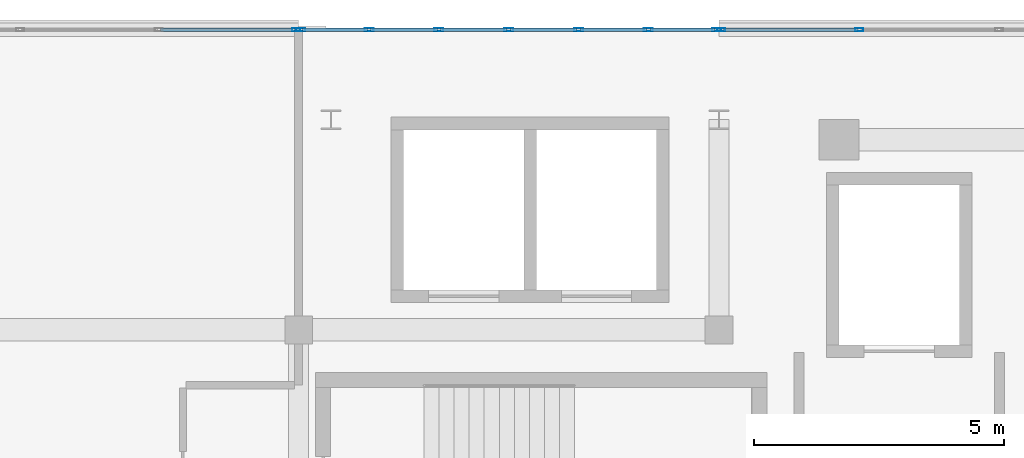
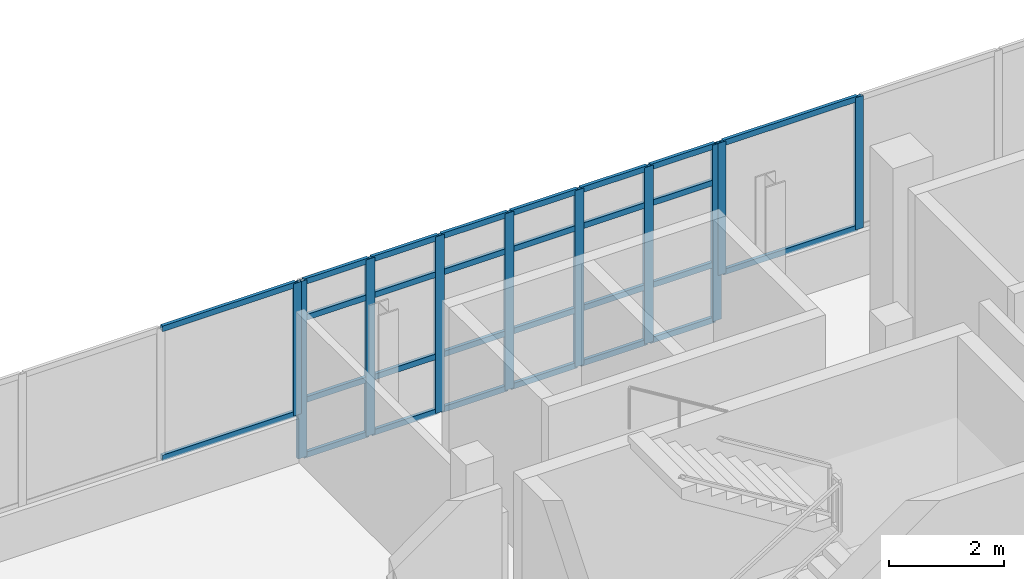
# One storey, part 24 of 67: 38 members, 3 elements without a shape of their own.
"""IFC4 building model written with IfcOpenShell, lengths in metres."""

from ifc_helpers import new_model, si_unit, direction, frame, origin, origin_2d, place, context, subcontext, project, spatial, hollow_rectangle, extrude, material, material_profile, profile_set, type_object, element, aggregate, save


model = new_model("IFC4")

# Units and contexts
model_context = context("Model", 3, precision=1e-05, world=origin(), true_north=direction((0.0, 1.0)))
body_context = subcontext(model_context, "Body", "Model", "MODEL_VIEW")
ifc_project = project(units=[si_unit("LENGTHUNIT", "METRE"), si_unit("AREAUNIT", "SQUARE_METRE"), si_unit("VOLUMEUNIT", "CUBIC_METRE"), si_unit("PLANEANGLEUNIT", "RADIAN"), si_unit("MASSUNIT", "GRAM", prefix="KILO")], contexts=[model_context])

# Site, building, storey
site_placement = place(None, origin())
site = spatial("IfcSite", under=ifc_project, at=site_placement, CompositionType="ELEMENT")
building_placement = place(site_placement, origin())
building = spatial("IfcBuilding", under=site, at=building_placement, Name="Selatvlak General Hospital", CompositionType="ELEMENT")
storey_placement = place(building_placement, frame((0.0, 0.0, 35.39990234375)))
storey = spatial("IfcBuildingStorey", under=building, at=storey_placement, Name="L08", CompositionType="ELEMENT", Elevation=35.39990234375)

# Curtain wall, member
ifc_material_1 = material(Name="Solar-control Low-E double glazing", Category="glass")
curtain_wall_type_1 = type_object("IfcCurtainWallType", Name="CW-CW-01", PredefinedType="USERDEFINED", material=ifc_material_1)
curtain_wall_1_placement = place(storey_placement, origin())
curtain_wall_1 = element("IfcCurtainWall", 1, at=curtain_wall_1_placement, inside=storey, type_object=curtain_wall_type_1, Name="Glazed facade curtain wall CW-L08-0684", ObjectType="UNITISED CURTAIN WALL", PredefinedType="USERDEFINED")
ifc_material_2 = material(Name="Dark anodised aluminium mullion", Category="aluminium")
ifc_material_profile_1 = material_profile(ifc_material_2, hollow_rectangle(XDim=0.06494140625, YDim=0.159912109375, WallThickness=0.00390625, at=origin_2d()), Name="AL-MUL 65x160x4")
ifc_profile_set_1 = profile_set([ifc_material_profile_1], Name="Dark anodised aluminium mullion")
member_type_1 = type_object("IfcMemberType", Name="CWM-01", PredefinedType="MULLION", material=ifc_profile_set_1)
member_1_placement = place(storey_placement, frame((47.952392578125, 119.9990234375, 0.940185546875), z_axis=(0.0, 0.0, 1.0), x_axis=(0.0, 1.0, 0.0)))
member_1 = element("IfcMember", 2, at=member_1_placement, type_object=member_type_1, Name="CW-01 mullion 4", PredefinedType="MULLION", context=body_context, shape_type="SweptSolid", body=[
    extrude(hollow_rectangle(XDim=0.06494140625, YDim=0.159912109375, WallThickness=0.00390625, at=origin_2d()), origin(), (0.0, 0.0, 1.0), 2.7998046875),
])

# Curtain wall, members
curtain_wall_2_placement = place(storey_placement, origin())
curtain_wall_2 = element("IfcCurtainWall", 3, at=curtain_wall_2_placement, inside=storey, type_object=curtain_wall_type_1, Name="Glazed facade curtain wall CW-L08-0686", ObjectType="UNITISED CURTAIN WALL", PredefinedType="USERDEFINED")
member_2_placement = place(storey_placement, frame((56.447509765625, 119.9990234375, 0.940185546875), z_axis=(0.0, 0.0, 1.0), x_axis=(0.0, 1.0, 0.0)))
member_2 = element("IfcMember", 4, at=member_2_placement, type_object=member_type_1, Name="CW-01 mullion 1", PredefinedType="MULLION", context=body_context, shape_type="SweptSolid", body=[
    extrude(hollow_rectangle(XDim=0.06494140625, YDim=0.159912109375, WallThickness=0.00390625, at=origin_2d()), origin(), (0.0, 0.0, 1.0), 2.7998046875),
])
member_3_placement = place(storey_placement, frame((59.205078125, 119.9990234375, 0.940185546875), z_axis=(0.0, 0.0, 1.0), x_axis=(0.0, 1.0, 0.0)))
member_3 = element("IfcMember", 5, at=member_3_placement, type_object=member_type_1, Name="CW-01 mullion 2", PredefinedType="MULLION", context=body_context, shape_type="SweptSolid", body=[
    extrude(hollow_rectangle(XDim=0.06494140625, YDim=0.159912109375, WallThickness=0.00390625, at=origin_2d()), origin(), (0.0, 0.0, 1.0), 2.7998046875),
])

curtain_wall_type_2 = type_object("IfcCurtainWallType", Name="CW-CW-04", PredefinedType="USERDEFINED", material=ifc_material_1)
curtain_wall_3_placement = place(storey_placement, origin())
curtain_wall_3 = element("IfcCurtainWall", 6, at=curtain_wall_3_placement, inside=storey, type_object=curtain_wall_type_2, Name="Glazed facade curtain wall CW-L08-0685", ObjectType="STICK GLAZING WALL", PredefinedType="USERDEFINED")
ifc_material_profile_2 = material_profile(ifc_material_2, hollow_rectangle(XDim=0.06494140625, YDim=0.179931640625, WallThickness=0.00439453125, at=origin_2d()), Name="AL-MUL 65x180x4.5")
ifc_profile_set_2 = profile_set([ifc_material_profile_2], Name="Dark anodised aluminium mullion")
member_type_2 = type_object("IfcMemberType", Name="CWM-02", PredefinedType="MULLION", material=ifc_profile_set_2)
member_4_placement = place(storey_placement, frame((48.047607421875, 119.9990234375, 0.0), z_axis=(0.0, 0.0, 1.0), x_axis=(0.0, 1.0, 0.0)))
member_4 = element("IfcMember", 7, at=member_4_placement, type_object=member_type_2, Name="CW-04 mullion 1", PredefinedType="MULLION", context=body_context, shape_type="SweptSolid", body=[
    extrude(hollow_rectangle(XDim=0.06494140625, YDim=0.179931640625, WallThickness=0.00439453125, at=origin_2d()), origin(), (0.0, 0.0, 1.0), 3.739990234375),
])
member_5_placement = place(storey_placement, frame((49.409912109375, 119.9990234375, 0.0), z_axis=(0.0, 0.0, 1.0), x_axis=(0.0, 1.0, 0.0)))
member_5 = element("IfcMember", 8, at=member_5_placement, type_object=member_type_2, Name="CW-04 mullion 2", PredefinedType="MULLION", context=body_context, shape_type="SweptSolid", body=[
    extrude(hollow_rectangle(XDim=0.06494140625, YDim=0.179931640625, WallThickness=0.00439453125, at=origin_2d()), origin(), (0.0, 0.0, 1.0), 3.739990234375),
])
member_6_placement = place(storey_placement, frame((50.804931640625, 119.9990234375, 0.0), z_axis=(0.0, 0.0, 1.0), x_axis=(0.0, 1.0, 0.0)))
member_6 = element("IfcMember", 9, at=member_6_placement, type_object=member_type_2, Name="CW-04 mullion 3", PredefinedType="MULLION", context=body_context, shape_type="SweptSolid", body=[
    extrude(hollow_rectangle(XDim=0.06494140625, YDim=0.179931640625, WallThickness=0.00439453125, at=origin_2d()), origin(), (0.0, 0.0, 1.0), 3.739990234375),
])
member_7_placement = place(storey_placement, frame((52.199951171875, 119.9990234375, 0.0), z_axis=(0.0, 0.0, 1.0), x_axis=(0.0, 1.0, 0.0)))
member_7 = element("IfcMember", 10, at=member_7_placement, type_object=member_type_2, Name="CW-04 mullion 4", PredefinedType="MULLION", context=body_context, shape_type="SweptSolid", body=[
    extrude(hollow_rectangle(XDim=0.06494140625, YDim=0.179931640625, WallThickness=0.00439453125, at=origin_2d()), origin(), (0.0, 0.0, 1.0), 3.739990234375),
])
member_8_placement = place(storey_placement, frame((53.594970703125, 119.9990234375, 0.0), z_axis=(0.0, 0.0, 1.0), x_axis=(0.0, 1.0, 0.0)))
member_8 = element("IfcMember", 11, at=member_8_placement, type_object=member_type_2, Name="CW-04 mullion 5", PredefinedType="MULLION", context=body_context, shape_type="SweptSolid", body=[
    extrude(hollow_rectangle(XDim=0.06494140625, YDim=0.179931640625, WallThickness=0.00439453125, at=origin_2d()), origin(), (0.0, 0.0, 1.0), 3.739990234375),
])
member_9_placement = place(storey_placement, frame((54.989990234375, 119.9990234375, 0.0), z_axis=(0.0, 0.0, 1.0), x_axis=(0.0, 1.0, 0.0)))
member_9 = element("IfcMember", 12, at=member_9_placement, type_object=member_type_2, Name="CW-04 mullion 6", PredefinedType="MULLION", context=body_context, shape_type="SweptSolid", body=[
    extrude(hollow_rectangle(XDim=0.06494140625, YDim=0.179931640625, WallThickness=0.00439453125, at=origin_2d()), origin(), (0.0, 0.0, 1.0), 3.739990234375),
])
member_10_placement = place(storey_placement, frame((56.3525390625, 119.9990234375, 0.0), z_axis=(0.0, 0.0, 1.0), x_axis=(0.0, 1.0, 0.0)))
member_10 = element("IfcMember", 13, at=member_10_placement, type_object=member_type_2, Name="CW-04 mullion 7", PredefinedType="MULLION", context=body_context, shape_type="SweptSolid", body=[
    extrude(hollow_rectangle(XDim=0.06494140625, YDim=0.179931640625, WallThickness=0.00439453125, at=origin_2d()), origin(), (0.0, 0.0, 1.0), 3.739990234375),
])

# Member
ifc_material_profile_3 = material_profile(ifc_material_2, hollow_rectangle(XDim=0.06494140625, YDim=0.1201171875, WallThickness=0.00390625, at=origin_2d()), Name="AL-TRN 65x120x4")
ifc_profile_set_3 = profile_set([ifc_material_profile_3], Name="Dark anodised aluminium mullion")
member_type_3 = type_object("IfcMemberType", Name="CWT-01", PredefinedType="USERDEFINED", material=ifc_profile_set_3)
member_11_placement = place(storey_placement, frame((45.244140625, 119.9990234375, 0.97265625), z_axis=(1.0, 0.0, 0.0), x_axis=(0.0, 1.0, 0.0)))
member_11 = element("IfcMember", 14, at=member_11_placement, type_object=member_type_3, Name="CW-01 transom 3.1", ObjectType="TRANSOM", PredefinedType="USERDEFINED", context=body_context, shape_type="SweptSolid", body=[
    extrude(hollow_rectangle(XDim=0.06494140625, YDim=0.1201171875, WallThickness=0.00390625, at=origin_2d()), origin(), (0.0, 0.0, 1.0), 2.67578125),
])

member_12_placement = place(storey_placement, frame((45.244140625, 119.9990234375, 3.70751953125), z_axis=(1.0, 0.0, 0.0), x_axis=(0.0, 1.0, 0.0)))
member_12 = element("IfcMember", 15, at=member_12_placement, type_object=member_type_3, Name="CW-01 transom 3.2", ObjectType="TRANSOM", PredefinedType="USERDEFINED", context=body_context, shape_type="SweptSolid", body=[
    extrude(hollow_rectangle(XDim=0.06494140625, YDim=0.1201171875, WallThickness=0.00390625, at=origin_2d()), origin(), (0.0, 0.0, 1.0), 2.67578125),
])

aggregate(curtain_wall_1, [member_1, member_11, member_12])

member_13_placement = place(storey_placement, frame((48.080078125, 119.9990234375, 0.03271484375), z_axis=(1.0, 0.0, 0.0), x_axis=(0.0, 1.0, 0.0)))
member_13 = element("IfcMember", 16, at=member_13_placement, type_object=member_type_3, Name="CW-04 transom 1.1", ObjectType="TRANSOM", PredefinedType="USERDEFINED", context=body_context, shape_type="SweptSolid", body=[
    extrude(hollow_rectangle(XDim=0.06494140625, YDim=0.1201171875, WallThickness=0.00390625, at=origin_2d()), origin(), (0.0, 0.0, 1.0), 1.29736328125),
])

member_14_placement = place(storey_placement, frame((48.080078125, 119.9990234375, 1.2001953125), z_axis=(1.0, 0.0, 0.0), x_axis=(0.0, 1.0, 0.0)))
member_14 = element("IfcMember", 17, at=member_14_placement, type_object=member_type_3, Name="CW-04 transom 1.2", ObjectType="TRANSOM", PredefinedType="USERDEFINED", context=body_context, shape_type="SweptSolid", body=[
    extrude(hollow_rectangle(XDim=0.06494140625, YDim=0.1201171875, WallThickness=0.00390625, at=origin_2d()), origin(), (0.0, 0.0, 1.0), 1.29736328125),
])

member_15_placement = place(storey_placement, frame((48.080078125, 119.9990234375, 2.940185546875), z_axis=(1.0, 0.0, 0.0), x_axis=(0.0, 1.0, 0.0)))
member_15 = element("IfcMember", 18, at=member_15_placement, type_object=member_type_3, Name="CW-04 transom 1.3", ObjectType="TRANSOM", PredefinedType="USERDEFINED", context=body_context, shape_type="SweptSolid", body=[
    extrude(hollow_rectangle(XDim=0.06494140625, YDim=0.1201171875, WallThickness=0.00390625, at=origin_2d()), origin(), (0.0, 0.0, 1.0), 1.29736328125),
])

member_16_placement = place(storey_placement, frame((48.080078125, 119.9990234375, 3.70751953125), z_axis=(1.0, 0.0, 0.0), x_axis=(0.0, 1.0, 0.0)))
member_16 = element("IfcMember", 19, at=member_16_placement, type_object=member_type_3, Name="CW-04 transom 1.4", ObjectType="TRANSOM", PredefinedType="USERDEFINED", context=body_context, shape_type="SweptSolid", body=[
    extrude(hollow_rectangle(XDim=0.06494140625, YDim=0.1201171875, WallThickness=0.00390625, at=origin_2d()), origin(), (0.0, 0.0, 1.0), 1.29736328125),
])

member_17_placement = place(storey_placement, frame((49.4423828125, 119.9990234375, 0.03271484375), z_axis=(1.0, 0.0, 0.0), x_axis=(0.0, 1.0, 0.0)))
member_17 = element("IfcMember", 20, at=member_17_placement, type_object=member_type_3, Name="CW-04 transom 2.1", ObjectType="TRANSOM", PredefinedType="USERDEFINED", context=body_context, shape_type="SweptSolid", body=[
    extrude(hollow_rectangle(XDim=0.06494140625, YDim=0.1201171875, WallThickness=0.00390625, at=origin_2d()), origin(), (0.0, 0.0, 1.0), 1.330078125),
])

member_18_placement = place(storey_placement, frame((49.4423828125, 119.9990234375, 1.2001953125), z_axis=(1.0, 0.0, 0.0), x_axis=(0.0, 1.0, 0.0)))
member_18 = element("IfcMember", 21, at=member_18_placement, type_object=member_type_3, Name="CW-04 transom 2.2", ObjectType="TRANSOM", PredefinedType="USERDEFINED", context=body_context, shape_type="SweptSolid", body=[
    extrude(hollow_rectangle(XDim=0.06494140625, YDim=0.1201171875, WallThickness=0.00390625, at=origin_2d()), origin(), (0.0, 0.0, 1.0), 1.330078125),
])

member_19_placement = place(storey_placement, frame((49.4423828125, 119.9990234375, 2.940185546875), z_axis=(1.0, 0.0, 0.0), x_axis=(0.0, 1.0, 0.0)))
member_19 = element("IfcMember", 22, at=member_19_placement, type_object=member_type_3, Name="CW-04 transom 2.3", ObjectType="TRANSOM", PredefinedType="USERDEFINED", context=body_context, shape_type="SweptSolid", body=[
    extrude(hollow_rectangle(XDim=0.06494140625, YDim=0.1201171875, WallThickness=0.00390625, at=origin_2d()), origin(), (0.0, 0.0, 1.0), 1.330078125),
])

member_20_placement = place(storey_placement, frame((49.4423828125, 119.9990234375, 3.70751953125), z_axis=(1.0, 0.0, 0.0), x_axis=(0.0, 1.0, 0.0)))
member_20 = element("IfcMember", 23, at=member_20_placement, type_object=member_type_3, Name="CW-04 transom 2.4", ObjectType="TRANSOM", PredefinedType="USERDEFINED", context=body_context, shape_type="SweptSolid", body=[
    extrude(hollow_rectangle(XDim=0.06494140625, YDim=0.1201171875, WallThickness=0.00390625, at=origin_2d()), origin(), (0.0, 0.0, 1.0), 1.330078125),
])

member_21_placement = place(storey_placement, frame((50.83740234375, 119.9990234375, 0.03271484375), z_axis=(1.0, 0.0, 0.0), x_axis=(0.0, 1.0, 0.0)))
member_21 = element("IfcMember", 24, at=member_21_placement, type_object=member_type_3, Name="CW-04 transom 3.1", ObjectType="TRANSOM", PredefinedType="USERDEFINED", context=body_context, shape_type="SweptSolid", body=[
    extrude(hollow_rectangle(XDim=0.06494140625, YDim=0.1201171875, WallThickness=0.00390625, at=origin_2d()), origin(), (0.0, 0.0, 1.0), 1.330078125),
])

member_22_placement = place(storey_placement, frame((50.83740234375, 119.9990234375, 1.2001953125), z_axis=(1.0, 0.0, 0.0), x_axis=(0.0, 1.0, 0.0)))
member_22 = element("IfcMember", 25, at=member_22_placement, type_object=member_type_3, Name="CW-04 transom 3.2", ObjectType="TRANSOM", PredefinedType="USERDEFINED", context=body_context, shape_type="SweptSolid", body=[
    extrude(hollow_rectangle(XDim=0.06494140625, YDim=0.1201171875, WallThickness=0.00390625, at=origin_2d()), origin(), (0.0, 0.0, 1.0), 1.330078125),
])

member_23_placement = place(storey_placement, frame((50.83740234375, 119.9990234375, 2.940185546875), z_axis=(1.0, 0.0, 0.0), x_axis=(0.0, 1.0, 0.0)))
member_23 = element("IfcMember", 26, at=member_23_placement, type_object=member_type_3, Name="CW-04 transom 3.3", ObjectType="TRANSOM", PredefinedType="USERDEFINED", context=body_context, shape_type="SweptSolid", body=[
    extrude(hollow_rectangle(XDim=0.06494140625, YDim=0.1201171875, WallThickness=0.00390625, at=origin_2d()), origin(), (0.0, 0.0, 1.0), 1.330078125),
])

member_24_placement = place(storey_placement, frame((50.83740234375, 119.9990234375, 3.70751953125), z_axis=(1.0, 0.0, 0.0), x_axis=(0.0, 1.0, 0.0)))
member_24 = element("IfcMember", 27, at=member_24_placement, type_object=member_type_3, Name="CW-04 transom 3.4", ObjectType="TRANSOM", PredefinedType="USERDEFINED", context=body_context, shape_type="SweptSolid", body=[
    extrude(hollow_rectangle(XDim=0.06494140625, YDim=0.1201171875, WallThickness=0.00390625, at=origin_2d()), origin(), (0.0, 0.0, 1.0), 1.330078125),
])

member_25_placement = place(storey_placement, frame((52.232421875, 119.9990234375, 0.03271484375), z_axis=(1.0, 0.0, 0.0), x_axis=(0.0, 1.0, 0.0)))
member_25 = element("IfcMember", 28, at=member_25_placement, type_object=member_type_3, Name="CW-04 transom 4.1", ObjectType="TRANSOM", PredefinedType="USERDEFINED", context=body_context, shape_type="SweptSolid", body=[
    extrude(hollow_rectangle(XDim=0.06494140625, YDim=0.1201171875, WallThickness=0.00390625, at=origin_2d()), origin(), (0.0, 0.0, 1.0), 1.330078125),
])

member_26_placement = place(storey_placement, frame((52.232421875, 119.9990234375, 1.2001953125), z_axis=(1.0, 0.0, 0.0), x_axis=(0.0, 1.0, 0.0)))
member_26 = element("IfcMember", 29, at=member_26_placement, type_object=member_type_3, Name="CW-04 transom 4.2", ObjectType="TRANSOM", PredefinedType="USERDEFINED", context=body_context, shape_type="SweptSolid", body=[
    extrude(hollow_rectangle(XDim=0.06494140625, YDim=0.1201171875, WallThickness=0.00390625, at=origin_2d()), origin(), (0.0, 0.0, 1.0), 1.330078125),
])

member_27_placement = place(storey_placement, frame((52.232421875, 119.9990234375, 2.940185546875), z_axis=(1.0, 0.0, 0.0), x_axis=(0.0, 1.0, 0.0)))
member_27 = element("IfcMember", 30, at=member_27_placement, type_object=member_type_3, Name="CW-04 transom 4.3", ObjectType="TRANSOM", PredefinedType="USERDEFINED", context=body_context, shape_type="SweptSolid", body=[
    extrude(hollow_rectangle(XDim=0.06494140625, YDim=0.1201171875, WallThickness=0.00390625, at=origin_2d()), origin(), (0.0, 0.0, 1.0), 1.330078125),
])

member_28_placement = place(storey_placement, frame((52.232421875, 119.9990234375, 3.70751953125), z_axis=(1.0, 0.0, 0.0), x_axis=(0.0, 1.0, 0.0)))
member_28 = element("IfcMember", 31, at=member_28_placement, type_object=member_type_3, Name="CW-04 transom 4.4", ObjectType="TRANSOM", PredefinedType="USERDEFINED", context=body_context, shape_type="SweptSolid", body=[
    extrude(hollow_rectangle(XDim=0.06494140625, YDim=0.1201171875, WallThickness=0.00390625, at=origin_2d()), origin(), (0.0, 0.0, 1.0), 1.330078125),
])

member_29_placement = place(storey_placement, frame((53.62744140625, 119.9990234375, 0.03271484375), z_axis=(1.0, 0.0, 0.0), x_axis=(0.0, 1.0, 0.0)))
member_29 = element("IfcMember", 32, at=member_29_placement, type_object=member_type_3, Name="CW-04 transom 5.1", ObjectType="TRANSOM", PredefinedType="USERDEFINED", context=body_context, shape_type="SweptSolid", body=[
    extrude(hollow_rectangle(XDim=0.06494140625, YDim=0.1201171875, WallThickness=0.00390625, at=origin_2d()), origin(), (0.0, 0.0, 1.0), 1.330078125),
])

member_30_placement = place(storey_placement, frame((53.62744140625, 119.9990234375, 1.2001953125), z_axis=(1.0, 0.0, 0.0), x_axis=(0.0, 1.0, 0.0)))
member_30 = element("IfcMember", 33, at=member_30_placement, type_object=member_type_3, Name="CW-04 transom 5.2", ObjectType="TRANSOM", PredefinedType="USERDEFINED", context=body_context, shape_type="SweptSolid", body=[
    extrude(hollow_rectangle(XDim=0.06494140625, YDim=0.1201171875, WallThickness=0.00390625, at=origin_2d()), origin(), (0.0, 0.0, 1.0), 1.330078125),
])

member_31_placement = place(storey_placement, frame((53.62744140625, 119.9990234375, 2.940185546875), z_axis=(1.0, 0.0, 0.0), x_axis=(0.0, 1.0, 0.0)))
member_31 = element("IfcMember", 34, at=member_31_placement, type_object=member_type_3, Name="CW-04 transom 5.3", ObjectType="TRANSOM", PredefinedType="USERDEFINED", context=body_context, shape_type="SweptSolid", body=[
    extrude(hollow_rectangle(XDim=0.06494140625, YDim=0.1201171875, WallThickness=0.00390625, at=origin_2d()), origin(), (0.0, 0.0, 1.0), 1.330078125),
])

member_32_placement = place(storey_placement, frame((53.62744140625, 119.9990234375, 3.70751953125), z_axis=(1.0, 0.0, 0.0), x_axis=(0.0, 1.0, 0.0)))
member_32 = element("IfcMember", 35, at=member_32_placement, type_object=member_type_3, Name="CW-04 transom 5.4", ObjectType="TRANSOM", PredefinedType="USERDEFINED", context=body_context, shape_type="SweptSolid", body=[
    extrude(hollow_rectangle(XDim=0.06494140625, YDim=0.1201171875, WallThickness=0.00390625, at=origin_2d()), origin(), (0.0, 0.0, 1.0), 1.330078125),
])

member_33_placement = place(storey_placement, frame((55.0224609375, 119.9990234375, 0.03271484375), z_axis=(1.0, 0.0, 0.0), x_axis=(0.0, 1.0, 0.0)))
member_33 = element("IfcMember", 36, at=member_33_placement, type_object=member_type_3, Name="CW-04 transom 6.1", ObjectType="TRANSOM", PredefinedType="USERDEFINED", context=body_context, shape_type="SweptSolid", body=[
    extrude(hollow_rectangle(XDim=0.06494140625, YDim=0.1201171875, WallThickness=0.00390625, at=origin_2d()), origin(), (0.0, 0.0, 1.0), 1.297607421875),
])

member_34_placement = place(storey_placement, frame((55.0224609375, 119.9990234375, 1.2001953125), z_axis=(1.0, 0.0, 0.0), x_axis=(0.0, 1.0, 0.0)))
member_34 = element("IfcMember", 37, at=member_34_placement, type_object=member_type_3, Name="CW-04 transom 6.2", ObjectType="TRANSOM", PredefinedType="USERDEFINED", context=body_context, shape_type="SweptSolid", body=[
    extrude(hollow_rectangle(XDim=0.06494140625, YDim=0.1201171875, WallThickness=0.00390625, at=origin_2d()), origin(), (0.0, 0.0, 1.0), 1.297607421875),
])

member_35_placement = place(storey_placement, frame((55.0224609375, 119.9990234375, 2.940185546875), z_axis=(1.0, 0.0, 0.0), x_axis=(0.0, 1.0, 0.0)))
member_35 = element("IfcMember", 38, at=member_35_placement, type_object=member_type_3, Name="CW-04 transom 6.3", ObjectType="TRANSOM", PredefinedType="USERDEFINED", context=body_context, shape_type="SweptSolid", body=[
    extrude(hollow_rectangle(XDim=0.06494140625, YDim=0.1201171875, WallThickness=0.00390625, at=origin_2d()), origin(), (0.0, 0.0, 1.0), 1.297607421875),
])

member_36_placement = place(storey_placement, frame((55.0224609375, 119.9990234375, 3.70751953125), z_axis=(1.0, 0.0, 0.0), x_axis=(0.0, 1.0, 0.0)))
member_36 = element("IfcMember", 39, at=member_36_placement, type_object=member_type_3, Name="CW-04 transom 6.4", ObjectType="TRANSOM", PredefinedType="USERDEFINED", context=body_context, shape_type="SweptSolid", body=[
    extrude(hollow_rectangle(XDim=0.06494140625, YDim=0.1201171875, WallThickness=0.00390625, at=origin_2d()), origin(), (0.0, 0.0, 1.0), 1.297607421875),
])

aggregate(curtain_wall_3, [member_4, member_5, member_6, member_7, member_8, member_9, member_10, member_13, member_14, member_15, member_16, member_17, member_18, member_19, member_20, member_21, member_22, member_23, member_24, member_25, member_26, member_27, member_28, member_29, member_30, member_31, member_32, member_33, member_34, member_35, member_36])

member_37_placement = place(storey_placement, frame((56.47998046875, 119.9990234375, 0.97265625), z_axis=(1.0, 0.0, 0.0), x_axis=(0.0, 1.0, 0.0)))
member_37 = element("IfcMember", 40, at=member_37_placement, type_object=member_type_3, Name="CW-01 transom 1.1", ObjectType="TRANSOM", PredefinedType="USERDEFINED", context=body_context, shape_type="SweptSolid", body=[
    extrude(hollow_rectangle(XDim=0.06494140625, YDim=0.1201171875, WallThickness=0.00390625, at=origin_2d()), origin(), (0.0, 0.0, 1.0), 2.692626953125),
])

member_38_placement = place(storey_placement, frame((56.47998046875, 119.9990234375, 3.70751953125), z_axis=(1.0, 0.0, 0.0), x_axis=(0.0, 1.0, 0.0)))
member_38 = element("IfcMember", 41, at=member_38_placement, type_object=member_type_3, Name="CW-01 transom 1.2", ObjectType="TRANSOM", PredefinedType="USERDEFINED", context=body_context, shape_type="SweptSolid", body=[
    extrude(hollow_rectangle(XDim=0.06494140625, YDim=0.1201171875, WallThickness=0.00390625, at=origin_2d()), origin(), (0.0, 0.0, 1.0), 2.692626953125),
])

aggregate(curtain_wall_2, [member_2, member_3, member_37, member_38])

save(model, "model.ifc")
